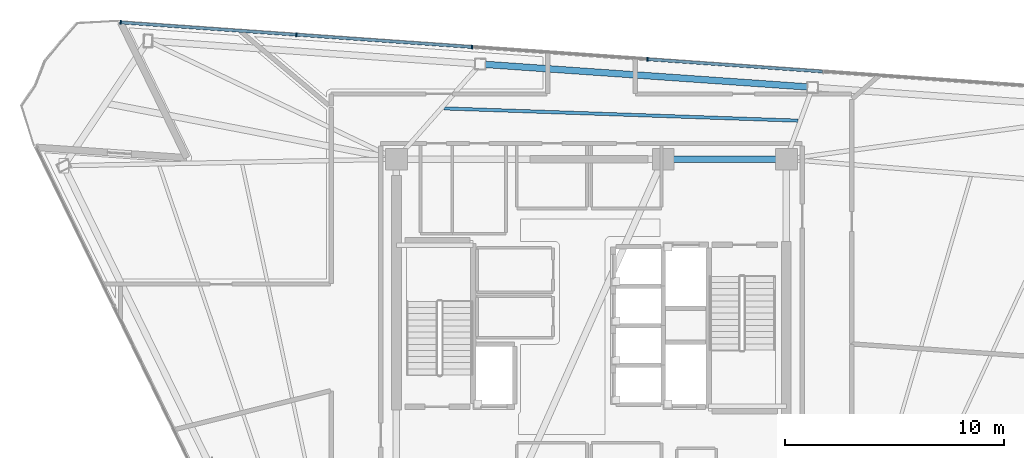
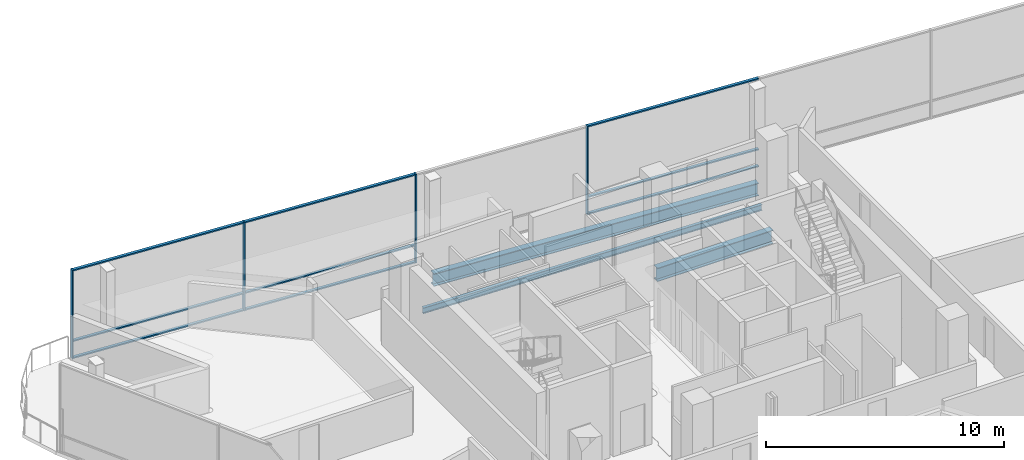
# One storey, part 6 of 13: 13 members, 3 beams, 1 element without a shape of its own.
"""IFC4 building model written with IfcOpenShell, lengths in metres."""

from ifc_helpers import new_model, si_unit, direction, frame, origin, origin_2d, place, context, subcontext, project, spatial, rectangle, i_section, extrude, material, layer, layer_set, material_profile, profile_set, type_object, element, aggregate, save


model = new_model("IFC4")

# Units and contexts
model_context = context("Model", 3, precision=1e-05, world=origin(), true_north=direction((0.0, 1.0)))
body_context = subcontext(model_context, "Body", "Model", "MODEL_VIEW")
ifc_project = project(units=[si_unit("LENGTHUNIT", "METRE"), si_unit("AREAUNIT", "SQUARE_METRE"), si_unit("VOLUMEUNIT", "CUBIC_METRE"), si_unit("PLANEANGLEUNIT", "RADIAN"), si_unit("MASSUNIT", "GRAM", prefix="KILO")], contexts=[model_context])

# Site, building, storey
site_placement = place(None, origin())
site = spatial("IfcSite", under=ifc_project, at=site_placement, CompositionType="ELEMENT")
building_placement = place(site_placement, origin())
building = spatial("IfcBuilding", under=site, at=building_placement, Name="Tharavind Bronze Gate", CompositionType="ELEMENT")
storey_placement = place(building_placement, frame((0.0, 0.0, 248.64990234375)))
storey = spatial("IfcBuildingStorey", under=building, at=storey_placement, Name="L64", CompositionType="ELEMENT", Elevation=248.64990234375)

# Curtain wall, members
ifc_material_1 = material(Name="Anodised Bronze Aluminium", Category="aluminium")
ifc_layer = layer(ifc_material_1, 0.219970703125)
ifc_layer_set = layer_set([ifc_layer], Name="Anodised Bronze Aluminium")
curtain_wall_type = type_object("IfcCurtainWallType", Name="UNITISED CURTAIN WALL UPPER OFFICE", PredefinedType="USERDEFINED", material=ifc_layer_set)
curtain_wall_placement = place(storey_placement, origin())
curtain_wall = element("IfcCurtainWall", 1, at=curtain_wall_placement, inside=storey, type_object=curtain_wall_type, Name="L64 unitised curtain wall upper office CW-L64-S3", ObjectType="UNITISED CURTAIN WALL", PredefinedType="USERDEFINED")
member_type_1 = type_object("IfcMemberType", Name="CURTAIN WALL BRONZE MULLION 65X180", PredefinedType="MULLION", material=ifc_material_1)
member_1_placement = place(storey_placement, frame((2.5654296875, 12.162353515625, 0.0), z_axis=(0.0, 0.0, 1.0), x_axis=(-0.99756392851, 0.069758214822, 0.0)))
member_1 = element("IfcMember", 2, at=member_1_placement, type_object=member_type_1, Name="CW-L64-S3 mullion 4", PredefinedType="MULLION", context=body_context, shape_type="SweptSolid", body=[
    extrude(rectangle(XDim=0.06494140625, YDim=0.179931640625, at=origin_2d()), origin(), (0.0, 0.0, 1.0), 4.56005859375),
])
member_2_placement = place(storey_placement, frame((-5.452880859375, 12.72314453125, 0.0), z_axis=(0.0, 0.0, 1.0), x_axis=(-0.99756392851, 0.069758214822, 0.0)))
member_2 = element("IfcMember", 3, at=member_2_placement, type_object=member_type_1, Name="CW-L64-S3 mullion 5", PredefinedType="MULLION", context=body_context, shape_type="SweptSolid", body=[
    extrude(rectangle(XDim=0.06494140625, YDim=0.179931640625, at=origin_2d()), origin(), (0.0, 0.0, 1.0), 4.56005859375),
])
member_3_placement = place(storey_placement, frame((-13.471435546875, 13.28369140625, 0.0), z_axis=(0.0, 0.0, 1.0), x_axis=(-0.99756392851, 0.069758214822, 0.0)))
member_3 = element("IfcMember", 4, at=member_3_placement, type_object=member_type_1, Name="CW-L64-S3 mullion 6", PredefinedType="MULLION", context=body_context, shape_type="SweptSolid", body=[
    extrude(rectangle(XDim=0.06494140625, YDim=0.179931640625, at=origin_2d()), origin(), (0.0, 0.0, 1.0), 4.56005859375),
])
member_4_placement = place(storey_placement, frame((-21.489990234375, 13.844482421875, 0.0), z_axis=(0.0, 0.0, 1.0), x_axis=(-0.99756392851, 0.069758214822, 0.0)))
member_4 = element("IfcMember", 5, at=member_4_placement, type_object=member_type_1, Name="CW-L64-S3 mullion 7", PredefinedType="MULLION", context=body_context, shape_type="SweptSolid", body=[
    extrude(rectangle(XDim=0.06494140625, YDim=0.179931640625, at=origin_2d()), origin(), (0.0, 0.0, 1.0), 4.56005859375),
])
member_type_2 = type_object("IfcMemberType", Name="CURTAIN WALL BRONZE TRANSOM 65X140", PredefinedType="USERDEFINED", material=ifc_material_1)
member_5_placement = place(storey_placement, frame((6.57470703125, 11.882080078125, 0.000244140625), z_axis=(0.0, 0.0, 1.0), x_axis=(-0.99756392851, 0.069758214822, 0.0)))
member_5 = element("IfcMember", 6, at=member_5_placement, type_object=member_type_2, Name="CW-L64-S3 transom TB3", ObjectType="TRANSOM", PredefinedType="USERDEFINED", context=body_context, shape_type="SweptSolid", body=[
    extrude(rectangle(XDim=7.985107421875, YDim=0.139892578125, at=origin_2d()), origin(), (0.0, 0.0, 1.0), 0.06494140625),
])
member_6_placement = place(storey_placement, frame((6.57470703125, 11.882080078125, 0.86767578125), z_axis=(0.0, 0.0, 1.0), x_axis=(-0.99756392851, 0.069758214822, 0.0)))
member_6 = element("IfcMember", 7, at=member_6_placement, type_object=member_type_2, Name="CW-L64-S3 transom TS3", ObjectType="TRANSOM", PredefinedType="USERDEFINED", context=body_context, shape_type="SweptSolid", body=[
    extrude(rectangle(XDim=7.985107421875, YDim=0.139892578125, at=origin_2d()), origin(), (0.0, 0.0, 1.0), 0.06494140625),
])
member_7_placement = place(storey_placement, frame((6.57470703125, 11.882080078125, 4.4951171875), z_axis=(0.0, 0.0, 1.0), x_axis=(-0.99756392851, 0.069758214822, 0.0)))
member_7 = element("IfcMember", 8, at=member_7_placement, type_object=member_type_2, Name="CW-L64-S3 transom TT3", ObjectType="TRANSOM", PredefinedType="USERDEFINED", context=body_context, shape_type="SweptSolid", body=[
    extrude(rectangle(XDim=7.985107421875, YDim=0.139892578125, at=origin_2d()), origin(), (0.0, 0.0, 1.0), 0.06494140625),
])
member_8_placement = place(storey_placement, frame((-9.462158203125, 13.00341796875, 0.000244140625), z_axis=(0.0, 0.0, 1.0), x_axis=(-0.99756392851, 0.069758214822, 0.0)))
member_8 = element("IfcMember", 9, at=member_8_placement, type_object=member_type_2, Name="CW-L64-S3 transom TB5", ObjectType="TRANSOM", PredefinedType="USERDEFINED", context=body_context, shape_type="SweptSolid", body=[
    extrude(rectangle(XDim=7.985107421875, YDim=0.139892578125, at=origin_2d()), origin(), (0.0, 0.0, 1.0), 0.06494140625),
])
member_9_placement = place(storey_placement, frame((-9.462158203125, 13.00341796875, 0.86767578125), z_axis=(0.0, 0.0, 1.0), x_axis=(-0.99756392851, 0.069758214822, 0.0)))
member_9 = element("IfcMember", 10, at=member_9_placement, type_object=member_type_2, Name="CW-L64-S3 transom TS5", ObjectType="TRANSOM", PredefinedType="USERDEFINED", context=body_context, shape_type="SweptSolid", body=[
    extrude(rectangle(XDim=7.985107421875, YDim=0.139892578125, at=origin_2d()), origin(), (0.0, 0.0, 1.0), 0.06494140625),
])
member_10_placement = place(storey_placement, frame((-9.462158203125, 13.00341796875, 4.4951171875), z_axis=(0.0, 0.0, 1.0), x_axis=(-0.99756392851, 0.069758214822, 0.0)))
member_10 = element("IfcMember", 11, at=member_10_placement, type_object=member_type_2, Name="CW-L64-S3 transom TT5", ObjectType="TRANSOM", PredefinedType="USERDEFINED", context=body_context, shape_type="SweptSolid", body=[
    extrude(rectangle(XDim=7.985107421875, YDim=0.139892578125, at=origin_2d()), origin(), (0.0, 0.0, 1.0), 0.06494140625),
])
member_11_placement = place(storey_placement, frame((-17.480712890625, 13.564208984375, 0.000244140625), z_axis=(0.0, 0.0, 1.0), x_axis=(-0.99756392851, 0.069758214822, 0.0)))
member_11 = element("IfcMember", 12, at=member_11_placement, type_object=member_type_2, Name="CW-L64-S3 transom TB6", ObjectType="TRANSOM", PredefinedType="USERDEFINED", context=body_context, shape_type="SweptSolid", body=[
    extrude(rectangle(XDim=7.985107421875, YDim=0.139892578125, at=origin_2d()), origin(), (0.0, 0.0, 1.0), 0.06494140625),
])
member_12_placement = place(storey_placement, frame((-17.480712890625, 13.564208984375, 0.86767578125), z_axis=(0.0, 0.0, 1.0), x_axis=(-0.99756392851, 0.069758214822, 0.0)))
member_12 = element("IfcMember", 13, at=member_12_placement, type_object=member_type_2, Name="CW-L64-S3 transom TS6", ObjectType="TRANSOM", PredefinedType="USERDEFINED", context=body_context, shape_type="SweptSolid", body=[
    extrude(rectangle(XDim=7.985107421875, YDim=0.139892578125, at=origin_2d()), origin(), (0.0, 0.0, 1.0), 0.06494140625),
])
member_13_placement = place(storey_placement, frame((-17.480712890625, 13.564208984375, 4.4951171875), z_axis=(0.0, 0.0, 1.0), x_axis=(-0.99756392851, 0.069758214822, 0.0)))
member_13 = element("IfcMember", 14, at=member_13_placement, type_object=member_type_2, Name="CW-L64-S3 transom TT6", ObjectType="TRANSOM", PredefinedType="USERDEFINED", context=body_context, shape_type="SweptSolid", body=[
    extrude(rectangle(XDim=7.985107421875, YDim=0.139892578125, at=origin_2d()), origin(), (0.0, 0.0, 1.0), 0.06494140625),
])
aggregate(curtain_wall, [member_1, member_2, member_3, member_4, member_5, member_6, member_7, member_8, member_9, member_10, member_11, member_12, member_13])

# Beams
ifc_material_2 = material(Name="Steel S355", Category="steel")
ifc_material_profile_1 = material_profile(ifc_material_2, i_section(OverallWidth=0.300048828125, OverallDepth=0.64990234375, WebThickness=0.01611328125, FlangeThickness=0.031005859375, at=origin_2d()), Name="HE650B")
ifc_profile_set_1 = profile_set([ifc_material_profile_1], Name="Steel S355")
beam_type_1 = type_object("IfcBeamType", Name="PRIMARY GIRDER HE650B", PredefinedType="USERDEFINED", material=ifc_profile_set_1)
beam_1_placement = place(storey_placement, frame((10.099609375, 10.8837890625, -0.5048828125), z_axis=(-0.997564956602, 0.069743511238, 0.0), x_axis=(-0.069743511238, -0.997564956602, 0.0)))
element("IfcBeam", 15, at=beam_1_placement, inside=storey, type_object=beam_type_1, Name="L64 primary girder he650b BM-L64-PRG10", ObjectType="GIRDER", PredefinedType="USERDEFINED", context=body_context, shape_type="SweptSolid", body=[
    extrude(i_section(OverallWidth=0.300048828125, OverallDepth=0.64990234375, WebThickness=0.01611328125, FlangeThickness=0.031005859375, at=origin_2d()), origin(), (0.0, 0.0, 1.0), 15.2099609375),
])
ifc_material_profile_2 = material_profile(ifc_material_2, i_section(OverallWidth=0.300048828125, OverallDepth=0.699951171875, WebThickness=0.01708984375, FlangeThickness=0.031982421875, at=origin_2d()), Name="HE700B")
ifc_profile_set_2 = profile_set([ifc_material_profile_2], Name="Steel S355")
beam_type_2 = type_object("IfcBeamType", Name="RING GIRDER HE700B", PredefinedType="USERDEFINED", material=ifc_profile_set_2)
beam_2_placement = place(storey_placement, frame((8.89990234375, 7.60009765625, -0.52978515625), z_axis=(-1.0, 0.0, 0.0), x_axis=(0.0, -1.0, 0.0)))
element("IfcBeam", 16, at=beam_2_placement, inside=storey, type_object=beam_type_2, Name="L64 ring girder he700b BM-L64-CR4", ObjectType="GIRDER", PredefinedType="USERDEFINED", context=body_context, shape_type="SweptSolid", body=[
    extrude(i_section(OverallWidth=0.300048828125, OverallDepth=0.699951171875, WebThickness=0.01708984375, FlangeThickness=0.031982421875, at=origin_2d()), origin(), (0.0, 0.0, 1.0), 5.619873046875),
])
ifc_material_profile_3 = material_profile(ifc_material_2, i_section(OverallWidth=0.14990234375, OverallDepth=0.300048828125, WebThickness=0.007080078125, FlangeThickness=0.0107421875, at=origin_2d()), Name="IPE300")
ifc_profile_set_3 = profile_set([ifc_material_profile_3], Name="Steel S355")
beam_type_3 = type_object("IfcBeamType", Name="SECONDARY FLOOR JOIST IPE300", PredefinedType="JOIST", material=ifc_profile_set_3)
beam_3_placement = place(storey_placement, frame((9.4326171875, 9.360595703125, -0.329833984375), z_axis=(-0.999400965348, 0.034607953742, 0.0), x_axis=(-0.034607953742, -0.999400965348, 0.0)))
element("IfcBeam", 17, at=beam_3_placement, inside=storey, type_object=beam_type_3, Name="L64 secondary floor joist ipe300 BM-L64-JSTA10", PredefinedType="JOIST", context=body_context, shape_type="SweptSolid", body=[
    extrude(i_section(OverallWidth=0.14990234375, OverallDepth=0.300048828125, WebThickness=0.007080078125, FlangeThickness=0.0107421875, at=origin_2d()), origin(), (0.0, 0.0, 1.0), 16.161865234375),
])

save(model, "model.ifc")
